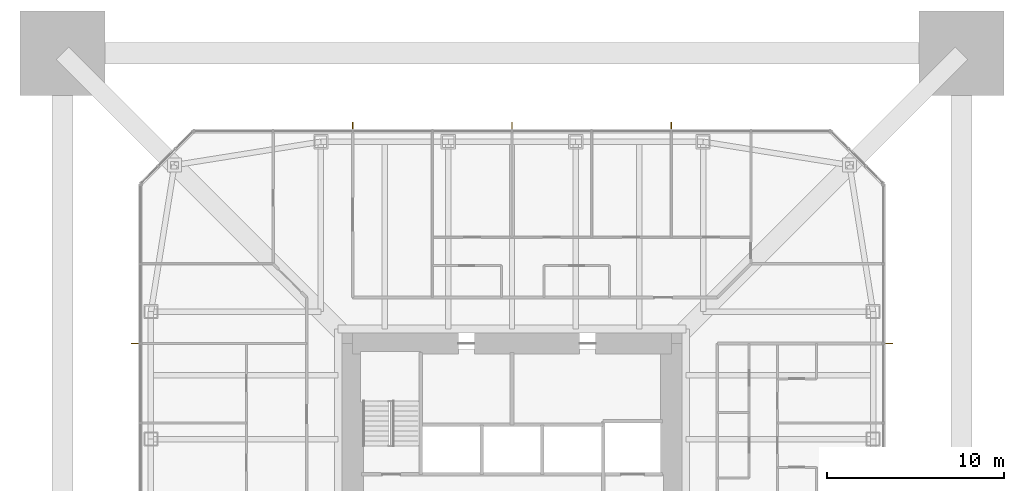
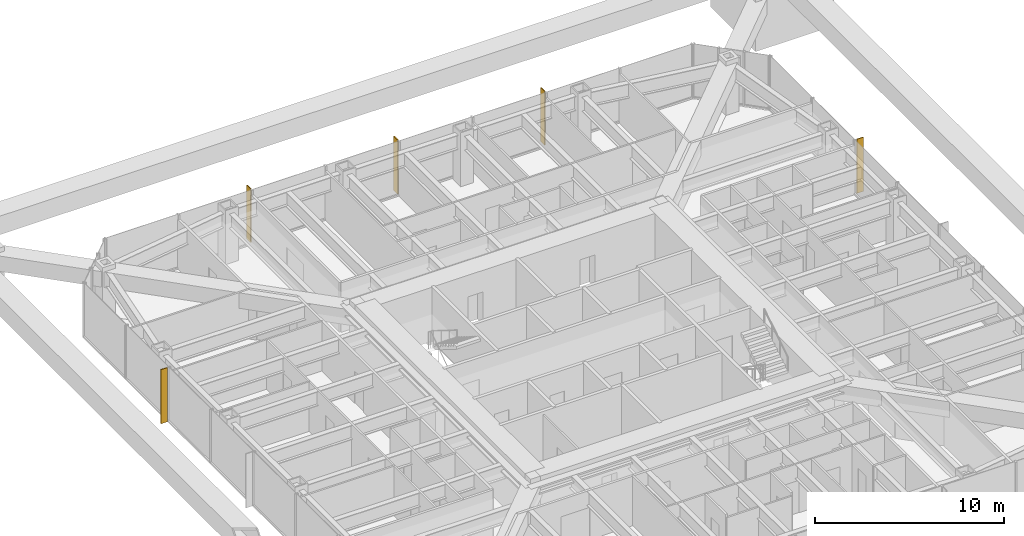
# One storey, part 20 of 20: 5 shading devices.
"""IFC4 building model written with IfcOpenShell, lengths in metres."""

from ifc_helpers import new_model, si_unit, direction, frame, origin, origin_2d, place, context, subcontext, project, spatial, rectangle, extrude, material, layer, layer_set, type_object, element, save


model = new_model("IFC4")

# Units and contexts
model_context = context("Model", 3, precision=1e-05, world=origin(), true_north=direction((0.0, 1.0)))
body_context = subcontext(model_context, "Body", "Model", "MODEL_VIEW")
ifc_project = project(units=[si_unit("LENGTHUNIT", "METRE"), si_unit("AREAUNIT", "SQUARE_METRE"), si_unit("VOLUMEUNIT", "CUBIC_METRE"), si_unit("PLANEANGLEUNIT", "RADIAN"), si_unit("MASSUNIT", "GRAM", prefix="KILO")], contexts=[model_context])

# Site, building, storey
site_placement = place(None, origin())
site = spatial("IfcSite", under=ifc_project, at=site_placement, CompositionType="ELEMENT")
building_placement = place(site_placement, origin())
building = spatial("IfcBuilding", under=site, at=building_placement, Name="Iwan Alto Co-Living Towers", CompositionType="ELEMENT")
storey_placement = place(building_placement, frame((0.0, 0.0, 140.0)))
storey = spatial("IfcBuildingStorey", under=building, at=storey_placement, Name="L38", CompositionType="ELEMENT", Elevation=140.0)

# Shading devices
ifc_material = material(Name="Aluminium 6063-T6 bronze anodised", Category="aluminium")
ifc_layer = layer(ifc_material, 0.050048828125)
ifc_layer_set = layer_set([ifc_layer], Name="BRONZE FIN 50X400")
shading_device_type = type_object("IfcShadingDeviceType", Name="BRONZE FIN 50X400", PredefinedType="USERDEFINED", material=ifc_layer_set)
for number, where, z_axis, x_axis, name in (
    (1, (21.300048828125, 9.0, 0.0), (0.0, 0.0, 1.0), (0.0, 1.0, 0.0), "Bronze fin L38"),
    (2, (9.0, 21.300048828125, 0.0), (0.0, 0.0, 1.0), (-1.0, 0.0, 0.0), "Bronze fin L38"),
    (3, (0.0, 21.300048828125, 0.0), (0.0, 0.0, 1.0), (-1.0, 0.0, 0.0), "Bronze fin L38"),
    (4, (-9.0, 21.300048828125, 0.0), (0.0, 0.0, 1.0), (-1.0, 0.0, 0.0), "Bronze fin L38"),
    (5, (-21.300048828125, 9.0, 0.0), (0.0, 0.0, 1.0), (0.0, -1.0, 0.0), "Bronze fin L38"),
):
    element("IfcShadingDevice", number, at=place(storey_placement, frame(where, z_axis=z_axis, x_axis=x_axis)), inside=storey, type_object=shading_device_type, Name=name, ObjectType="LOUVER", PredefinedType="USERDEFINED", context=body_context, shape_type="SweptSolid", body=[
        extrude(rectangle(XDim=0.050048828125, YDim=0.39990234375, at=origin_2d()), origin(), (0.0, 0.0, 1.0), 3.5),
    ])

save(model, "model.ifc")
